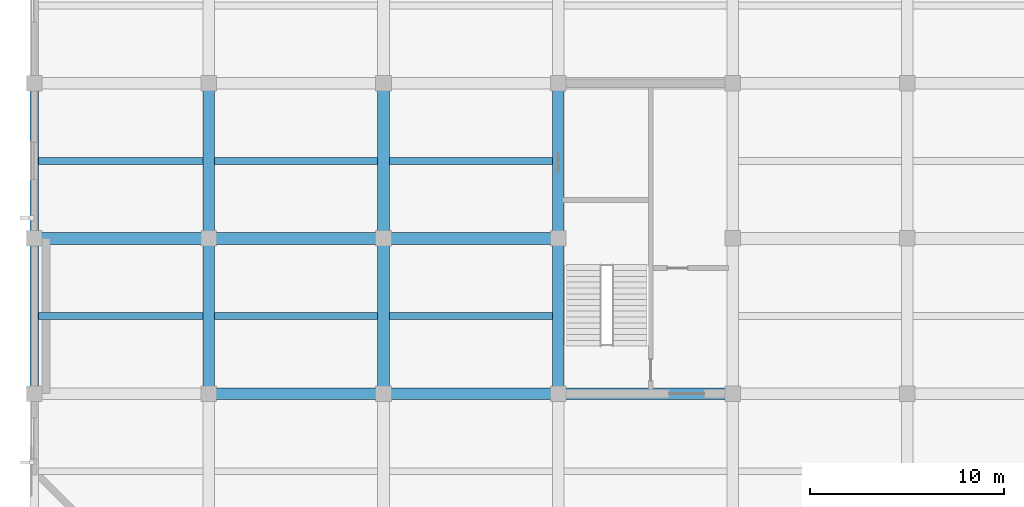
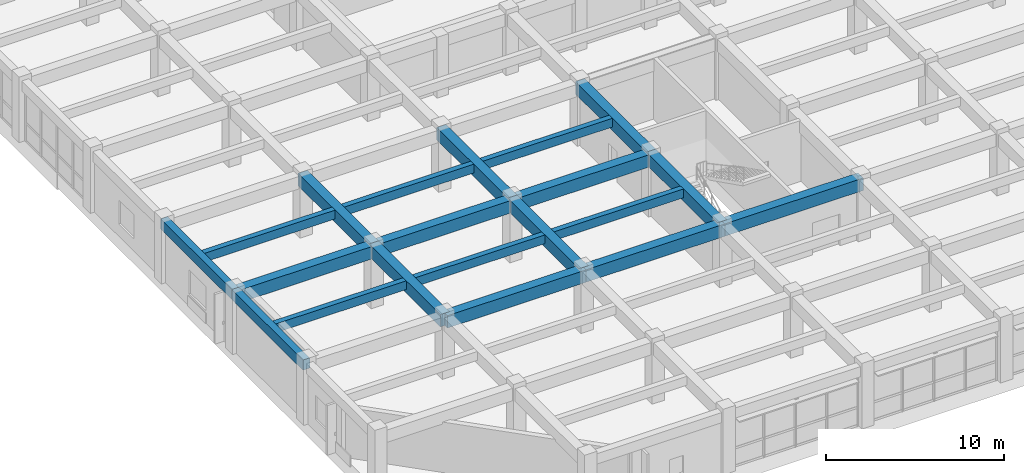
# One storey, part 4 of 50: 20 beams.
"""IFC4 building model written with IfcOpenShell, lengths in metres."""

from ifc_helpers import new_model, si_unit, direction, frame, origin, origin_2d, place, context, subcontext, project, spatial, rectangle, extrude, material, material_profile, profile_set, type_object, element, save


model = new_model("IFC4")

# Units and contexts
model_context = context("Model", 3, precision=1e-05, world=origin(), true_north=direction((0.0, 1.0)))
body_context = subcontext(model_context, "Body", "Model", "MODEL_VIEW")
ifc_project = project(units=[si_unit("LENGTHUNIT", "METRE"), si_unit("AREAUNIT", "SQUARE_METRE"), si_unit("VOLUMEUNIT", "CUBIC_METRE"), si_unit("PLANEANGLEUNIT", "RADIAN"), si_unit("MASSUNIT", "GRAM", prefix="KILO")], contexts=[model_context])

# Site, building, storey
site_placement = place(None, origin())
site = spatial("IfcSite", under=ifc_project, at=site_placement, CompositionType="ELEMENT")
building_placement = place(site_placement, origin())
building = spatial("IfcBuilding", under=site, at=building_placement, Name="Zaverband Oceanarium and Marine Research Institute", CompositionType="ELEMENT")
storey_placement = place(building_placement, frame((0.0, 0.0, 4.5)))
storey = spatial("IfcBuildingStorey", under=building, at=storey_placement, Name="L01", CompositionType="ELEMENT", Elevation=4.5)

# Beams
ifc_material = material(Name="Concrete C40/50", Category="concrete")
ifc_material_profile_1 = material_profile(ifc_material, rectangle(XDim=0.60009765625, YDim=0.85009765625, at=origin_2d()), Name="RC600x850")
ifc_profile_set_1 = profile_set([ifc_material_profile_1], Name="Concrete C40/50")
beam_type_1 = type_object("IfcBeamType", Name="BM-600x850", PredefinedType="BEAM", material=ifc_profile_set_1)
for number, where, z_axis, x_axis, name in (
    (1, (9.0, 16.0, 3.7548828125), (1.0, 0.0, 0.0), (0.0, 1.0, 0.0), "Primary floor girder BM-600x850"),
    (2, (18.0, 16.0, 3.7548828125), (1.0, 0.0, 0.0), (0.0, 1.0, 0.0), "Primary floor girder BM-600x850"),
    (3, (27.0, 16.0, 3.7548828125), (1.0, 0.0, 0.0), (0.0, 1.0, 0.0), "Primary floor girder BM-600x850"),
    (4, (0.0, 24.0, 3.7548828125), (1.0, 0.0, 0.0), (0.0, 1.0, 0.0), "Primary floor girder BM-600x850"),
    (5, (9.0, 24.0, 3.7548828125), (1.0, 0.0, 0.0), (0.0, 1.0, 0.0), "Primary floor girder BM-600x850"),
    (6, (18.0, 24.0, 3.7548828125), (1.0, 0.0, 0.0), (0.0, 1.0, 0.0), "Primary floor girder BM-600x850"),
):
    element("IfcBeam", number, at=place(storey_placement, frame(where, z_axis=z_axis, x_axis=x_axis)), inside=storey, type_object=beam_type_1, Name=name, PredefinedType="BEAM", context=body_context, shape_type="SweptSolid", body=[
        extrude(rectangle(XDim=0.60009765625, YDim=0.85009765625, at=origin_2d()), origin(), (0.0, 0.0, 1.0), 9.0),
    ])
for number, where, z_axis, x_axis, name in (
    (7, (9.0, 16.0, 3.7548828125), (0.0, 1.0, 0.0), (-1.0, 0.0, 0.0), "Primary floor girder BM-600x850"),
    (8, (9.0, 24.0, 3.7548828125), (0.0, 1.0, 0.0), (-1.0, 0.0, 0.0), "Primary floor girder BM-600x850"),
    (9, (18.0, 16.0, 3.7548828125), (0.0, 1.0, 0.0), (-1.0, 0.0, 0.0), "Primary floor girder BM-600x850"),
    (10, (18.0, 24.0, 3.7548828125), (0.0, 1.0, 0.0), (-1.0, 0.0, 0.0), "Primary floor girder BM-600x850"),
    (11, (27.0, 16.0, 3.7548828125), (0.0, 1.0, 0.0), (-1.0, 0.0, 0.0), "Primary floor girder BM-600x850"),
    (12, (27.0, 24.0, 3.7548828125), (0.0, 1.0, 0.0), (-1.0, 0.0, 0.0), "Primary floor girder BM-600x850"),
):
    element("IfcBeam", number, at=place(storey_placement, frame(where, z_axis=z_axis, x_axis=x_axis)), inside=storey, type_object=beam_type_1, Name=name, PredefinedType="BEAM", context=body_context, shape_type="SweptSolid", body=[
        extrude(rectangle(XDim=0.60009765625, YDim=0.85009765625, at=origin_2d()), origin(), (0.0, 0.0, 1.0), 8.0),
    ])
ifc_material_profile_2 = material_profile(ifc_material, rectangle(XDim=0.35009765625, YDim=0.60009765625, at=origin_2d()), Name="RC350x600")
ifc_profile_set_2 = profile_set([ifc_material_profile_2], Name="Concrete C40/50")
beam_type_2 = type_object("IfcBeamType", Name="JST-350x600", PredefinedType="JOIST", material=ifc_profile_set_2)
for number, where, z_axis, x_axis, name in (
    (13, (0.22509765625, 20.0, 3.8798828125), (1.0, 0.0, 0.0), (0.0, 1.0, 0.0), "Secondary floor joist JST-350x600"),
    (14, (0.22509765625, 28.0, 3.8798828125), (1.0, 0.0, 0.0), (0.0, 1.0, 0.0), "Secondary floor joist JST-350x600"),
):
    element("IfcBeam", number, at=place(storey_placement, frame(where, z_axis=z_axis, x_axis=x_axis)), inside=storey, type_object=beam_type_2, Name=name, PredefinedType="JOIST", context=body_context, shape_type="SweptSolid", body=[
        extrude(rectangle(XDim=0.35009765625, YDim=0.60009765625, at=origin_2d()), origin(), (0.0, 0.0, 1.0), 8.474853515625),
    ])
for number, where, z_axis, x_axis, name in (
    (15, (9.300048828125, 20.0, 3.8798828125), (1.0, 0.0, 0.0), (0.0, 1.0, 0.0), "Secondary floor joist JST-350x600"),
    (16, (9.300048828125, 28.0, 3.8798828125), (1.0, 0.0, 0.0), (0.0, 1.0, 0.0), "Secondary floor joist JST-350x600"),
    (17, (18.300048828125, 20.0, 3.8798828125), (1.0, 0.0, 0.0), (0.0, 1.0, 0.0), "Secondary floor joist JST-350x600"),
    (18, (18.300048828125, 28.0, 3.8798828125), (1.0, 0.0, 0.0), (0.0, 1.0, 0.0), "Secondary floor joist JST-350x600"),
):
    element("IfcBeam", number, at=place(storey_placement, frame(where, z_axis=z_axis, x_axis=x_axis)), inside=storey, type_object=beam_type_2, Name=name, PredefinedType="JOIST", context=body_context, shape_type="SweptSolid", body=[
        extrude(rectangle(XDim=0.35009765625, YDim=0.60009765625, at=origin_2d()), origin(), (0.0, 0.0, 1.0), 8.39990234375),
    ])
ifc_material_profile_3 = material_profile(ifc_material, rectangle(XDim=0.449951171875, YDim=0.699951171875, at=origin_2d()), Name="RC450x700")
ifc_profile_set_3 = profile_set([ifc_material_profile_3], Name="Concrete C40/50")
beam_type_3 = type_object("IfcBeamType", Name="SPN-450x700", PredefinedType="SPANDREL", material=ifc_profile_set_3)
for number, where, z_axis, x_axis, name in (
    (19, (0.0, 16.0, 3.830078125), (0.0, 1.0, 0.0), (-1.0, 0.0, 0.0), "Perimeter spandrel beam SPN-450x700"),
    (20, (0.0, 24.0, 3.830078125), (0.0, 1.0, 0.0), (-1.0, 0.0, 0.0), "Perimeter spandrel beam SPN-450x700"),
):
    element("IfcBeam", number, at=place(storey_placement, frame(where, z_axis=z_axis, x_axis=x_axis)), inside=storey, type_object=beam_type_3, Name=name, PredefinedType="SPANDREL", context=body_context, shape_type="SweptSolid", body=[
        extrude(rectangle(XDim=0.449951171875, YDim=0.699951171875, at=origin_2d()), origin(), (0.0, 0.0, 1.0), 8.0),
    ])

save(model, "model.ifc")
